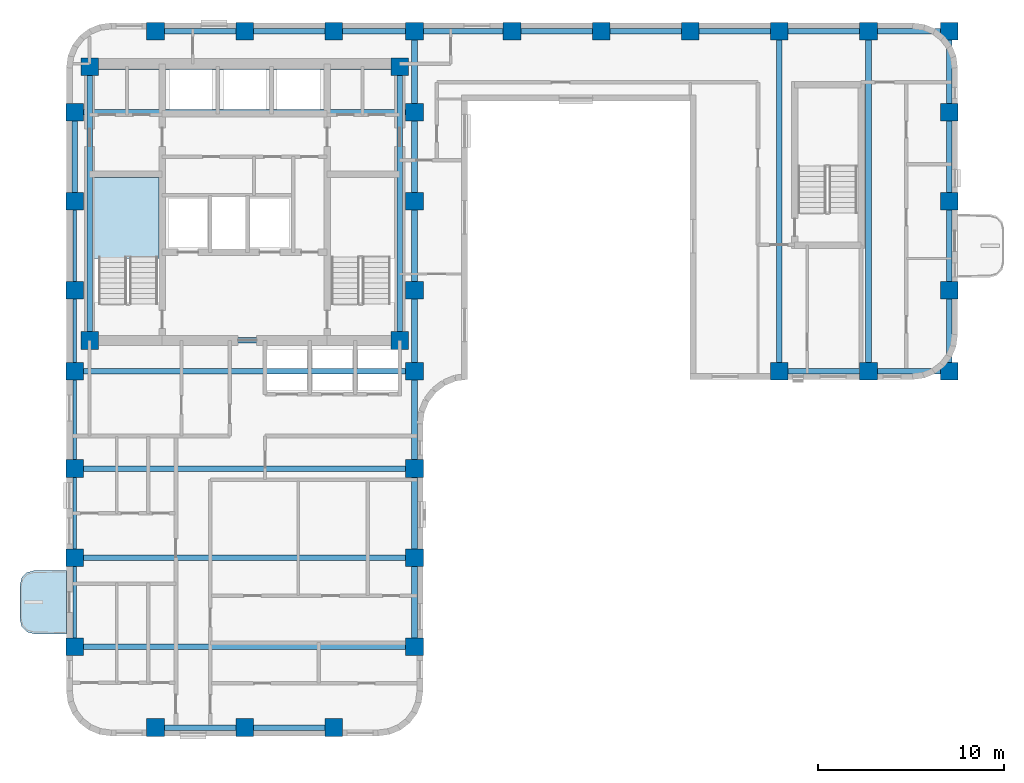
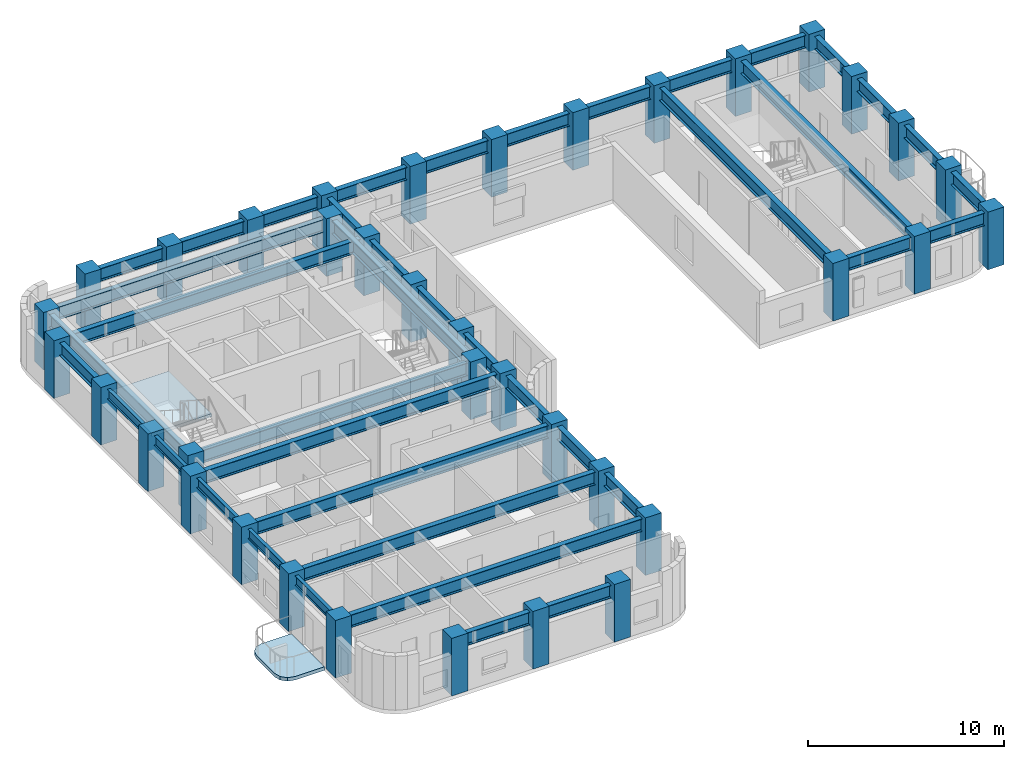
# One storey, part 1 of 10: 41 beams, 37 columns, 2 slabs, 1 element without a shape of its own.
"""IFC4 building model written with IfcOpenShell, lengths in metres."""

import ifcopenshell
import ifcopenshell.guid

model = None  # the IFC model being written
_history = None  # IfcOwnerHistory: only IFC2X3 demands one
_inside = {}  # id of a spatial element -> (the spatial element, [elements in it])
_under = {}  # id of a project, library or spatial element -> (it, [spatial elements below it])
_declared = {}  # id of a project -> (the project, [libraries it declares])
_typed = {}  # id of a type object -> (the type object, [elements of that type])
_made_of = {}  # id of a material, layer set ... -> (it, [elements and type objects made of it])


def new_model(schema):
    """Start an empty IFC model of exactly this schema.

    Asked for "IFC4X3", IfcOpenShell would pick the latest addendum, in which some entities
    have other attributes; the version numbers below select the first issue.
    IFC2X3 requires an IfcOwnerHistory on every rooted entity: one is made here for all.
    """
    global model, _history
    if schema == "IFC4X3":
        model = ifcopenshell.file(schema_version=(4, 3, 0, 0))
    else:
        model = ifcopenshell.file(schema=schema)
    _inside.clear()
    _under.clear()
    _declared.clear()
    _typed.clear()
    _made_of.clear()
    _history = None
    if model.schema == "IFC2X3":
        org = make("IfcOrganization", Name="unknown")
        user = make(
            "IfcPersonAndOrganization",
            ThePerson=make("IfcPerson", FamilyName="unknown"),
            TheOrganization=org,
        )
        app = make(
            "IfcApplication",
            ApplicationDeveloper=org,
            Version="unknown",
            ApplicationFullName="unknown",
            ApplicationIdentifier="unknown",
        )
        _history = make(
            "IfcOwnerHistory",
            OwningUser=user,
            OwningApplication=app,
            ChangeAction="ADDED",
            CreationDate=0,
        )
    return model


def make(cls, **values):
    """One entity of the class cls with the attributes given. An attribute that is None is left unset."""
    return model.create_entity(
        cls, **{name: value for name, value in values.items() if value is not None}
    )


def rooted(cls, **values):
    """An entity with a GlobalId (a new one), such as an element, a storey or a relation."""
    return make(cls, GlobalId=ifcopenshell.guid.new(), OwnerHistory=_history, **values)


def si_unit(unit_type, name, prefix=None):
    """IfcSIUnit, for example si_unit("LENGTHUNIT", "METRE", prefix="MILLI")."""
    return make("IfcSIUnit", UnitType=unit_type, Prefix=prefix, Name=name)


def assignment(units):
    """IfcUnitAssignment: the units of a project."""
    return None if units is None else make("IfcUnitAssignment", Units=units)


def point(xyz):
    """IfcCartesianPoint."""
    return None if xyz is None else make("IfcCartesianPoint", Coordinates=xyz)


def direction(xyz):
    """IfcDirection."""
    return None if xyz is None else make("IfcDirection", DirectionRatios=xyz)


def frame(location, z_axis=None, x_axis=None):
    """IfcAxis2Placement3D, a coordinate frame: its origin and axes. An axis left out is left unset."""
    return make(
        "IfcAxis2Placement3D",
        Location=point(location),
        Axis=direction(z_axis),
        RefDirection=direction(x_axis),
    )


def frame_2d(location, x_axis=None):
    """IfcAxis2Placement2D, a coordinate frame in the plane: its origin and x axis."""
    return make(
        "IfcAxis2Placement2D", Location=point(location), RefDirection=direction(x_axis)
    )


def origin():
    """The frame at (0, 0, 0) with its axes left unset."""
    return frame((0.0, 0.0, 0.0))


def origin_2d():
    """The frame at (0, 0) in the plane with its x axis left unset."""
    return frame_2d((0.0, 0.0))


def place(relative_to, where):
    """IfcLocalPlacement: puts the frame where relative to a parent placement (None: the world)."""
    return make(
        "IfcLocalPlacement", PlacementRelTo=relative_to, RelativePlacement=where
    )


def context(
    kind, dimensions, precision=None, world=None, true_north=None, identifier=None
):
    """IfcGeometricRepresentationContext, for example the 3D "Model" context."""
    return make(
        "IfcGeometricRepresentationContext",
        ContextIdentifier=identifier,
        ContextType=kind,
        CoordinateSpaceDimension=dimensions,
        Precision=precision,
        WorldCoordinateSystem=world,
        TrueNorth=true_north,
    )


def subcontext(parent, identifier, kind, view, scale=None):
    """IfcGeometricRepresentationSubContext, for example "Body" below "Model"."""
    return make(
        "IfcGeometricRepresentationSubContext",
        ContextIdentifier=identifier,
        ContextType=kind,
        ParentContext=parent,
        TargetScale=scale,
        TargetView=view,
    )


def project(units=None, contexts=None):
    """IfcProject with its units and contexts."""
    return rooted(
        "IfcProject",
        Name="project",
        RepresentationContexts=contexts,
        UnitsInContext=assignment(units),
    )


def spatial(cls, under=None, at=None, **own):
    """A site, building, storey or space (cls), placed at a placement, below another one or the project."""
    s = rooted(cls, ObjectPlacement=at, **own)
    if under is not None:
        _under.setdefault(under.id(), (under, []))[1].append(s)
    return s


def polyline(points):
    """IfcPolyline through the points."""
    return make("IfcPolyline", Points=[point(p) for p in points])


def profile(cls, at=None, kind="AREA", **sizes):
    """A parametric profile (cls). Its sizes go by their IFC names, for example OverallWidth=200.0."""
    return make(cls, ProfileType=kind, Position=at, **sizes)


def rectangle(**sizes):
    """IfcRectangleProfileDef."""
    return profile("IfcRectangleProfileDef", **sizes)


def i_section(**sizes):
    """IfcIShapeProfileDef."""
    return profile("IfcIShapeProfileDef", **sizes)


def outline(outer, holes=None, kind="AREA"):
    """IfcArbitraryClosedProfileDef: a profile drawn as a closed curve; with holes, ...WithVoids."""
    if holes is None:
        return make("IfcArbitraryClosedProfileDef", ProfileType=kind, OuterCurve=outer)
    return make(
        "IfcArbitraryProfileDefWithVoids",
        ProfileType=kind,
        OuterCurve=outer,
        InnerCurves=holes,
    )


def extrude(swept, where, along, depth):
    """IfcExtrudedAreaSolid: the profile swept, set in the frame where, extruded along a direction by depth."""
    return make(
        "IfcExtrudedAreaSolid",
        SweptArea=swept,
        Position=where,
        ExtrudedDirection=direction(along),
        Depth=depth,
    )


def shape(context_of_items, identifier, shape_type, items):
    """IfcShapeRepresentation: the items that make up one representation, for example the "Body"."""
    return make(
        "IfcShapeRepresentation",
        ContextOfItems=context_of_items,
        RepresentationIdentifier=identifier,
        RepresentationType=shape_type,
        Items=items,
    )


def material(Name=None, Category=None):
    """IfcMaterial."""
    return make("IfcMaterial", Name=Name, Category=Category)


def layer(
    of_material, thickness, ventilated=None, Name=None, Category=None, Priority=None
):
    """IfcMaterialLayer: one layer of a wall or slab, of a material (None: an air gap)."""
    return make(
        "IfcMaterialLayer",
        Material=of_material,
        LayerThickness=thickness,
        IsVentilated=ventilated,
        Name=Name,
        Category=Category,
        Priority=Priority,
    )


def layer_set(layers, Name=None):
    """IfcMaterialLayerSet."""
    return make("IfcMaterialLayerSet", MaterialLayers=layers, LayerSetName=Name)


def material_profile(
    of_material, cross_section, Name=None, Category=None, Priority=None
):
    """IfcMaterialProfile: a cross section and its material."""
    return make(
        "IfcMaterialProfile",
        Name=Name,
        Material=of_material,
        Profile=cross_section,
        Priority=Priority,
        Category=Category,
    )


def profile_set(profiles, Name=None, composite=None):
    """IfcMaterialProfileSet."""
    return make(
        "IfcMaterialProfileSet",
        Name=Name,
        MaterialProfiles=profiles,
        CompositeProfile=composite,
    )


def made_of(thing, what):
    """Note that an element or type object is made of a material, layer set ...; save() writes the relation."""
    if what is not None:
        _made_of.setdefault(what.id(), (what, []))[1].append(thing)
    return thing


def type_object(cls, material=None, **own):
    """A type object (cls), such as IfcWallType, which elements share."""
    return made_of(rooted(cls, **own), material)


def element(
    cls,
    number,
    at=None,
    inside=None,
    cuts=None,
    type_object=None,
    material=None,
    context=None,
    identifier="Body",
    shape_type=None,
    held_by="IfcProductDefinitionShape",
    body=None,
    shapes=None,
    **own,
):
    """One element of the class cls, such as IfcWall. Its Tag is "e" and its number.

    at: its placement. inside: the storey or other place that contains it. cuts: it is an
    opening in that element (IfcRelVoidsElement). A single representation is given by context,
    identifier, shape_type and body (its items); several are given by shapes. held_by: the class
    of the entity that holds the representations. save() writes the other relations.
    """
    e = rooted(cls, Tag="e%d" % number, ObjectPlacement=at, **own)
    if body is not None:
        shapes = [shape(context, identifier, shape_type, body)]
    if shapes is not None:
        e.Representation = make(held_by, Representations=shapes)
    if inside is not None:
        _inside.setdefault(inside.id(), (inside, []))[1].append(e)
    if cuts is not None:
        rooted(
            "IfcRelVoidsElement", RelatingBuildingElement=cuts, RelatedOpeningElement=e
        )
    if type_object is not None:
        _typed.setdefault(type_object.id(), (type_object, []))[1].append(e)
    return made_of(e, material)


def aggregate(whole, parts):
    """IfcRelAggregates: a whole, such as a stair, and the parts it consists of."""
    return rooted("IfcRelAggregates", RelatingObject=whole, RelatedObjects=parts)


def save(model, path):
    """Write the relations noted so far, then the file.

    IfcRelAggregates (storeys below a building ...), IfcRelContainedInSpatialStructure (elements
    in a storey), IfcRelDefinesByType, IfcRelAssociatesMaterial and IfcRelDeclares: one each for
    every whole, place, type object, material and project.
    """
    for whole, parts in _under.values():
        aggregate(whole, parts)
    for where, things in _inside.values():
        rooted(
            "IfcRelContainedInSpatialStructure",
            RelatedElements=things,
            RelatingStructure=where,
        )
    for kind, things in _typed.values():
        rooted("IfcRelDefinesByType", RelatedObjects=things, RelatingType=kind)
    for what, things in _made_of.values():
        rooted("IfcRelAssociatesMaterial", RelatedObjects=things, RelatingMaterial=what)
    for by, libraries in _declared.values():
        rooted("IfcRelDeclares", RelatingContext=by, RelatedDefinitions=libraries)
    model.write(path)


model = new_model("IFC4")

# Units and contexts
model_context = context("Model", 3, precision=1e-05, world=origin(), true_north=direction((0.0, 1.0)))
body_context = subcontext(model_context, "Body", "Model", "MODEL_VIEW")
ifc_project = project(units=[si_unit("LENGTHUNIT", "METRE"), si_unit("AREAUNIT", "SQUARE_METRE"), si_unit("VOLUMEUNIT", "CUBIC_METRE"), si_unit("PLANEANGLEUNIT", "RADIAN"), si_unit("MASSUNIT", "GRAM", prefix="KILO")], contexts=[model_context])

# Site, building, storey
site_placement = place(None, origin())
site = spatial("IfcSite", under=ifc_project, at=site_placement, CompositionType="ELEMENT")
building_placement = place(site_placement, origin())
building = spatial("IfcBuilding", under=site, at=building_placement, Name="Orvandelia Arch Residences", CompositionType="ELEMENT")
storey_placement = place(building_placement, frame((0.0, 0.0, 182.800048828125)))
storey = spatial("IfcBuildingStorey", under=building, at=storey_placement, Name="L48", CompositionType="ELEMENT", Elevation=182.800048828125)

# Columns
ifc_material_1 = material(Name="Concrete C60/75", Category="concrete")
ifc_material_profile_1 = material_profile(ifc_material_1, rectangle(XDim=0.949951171875, YDim=0.949951171875, at=origin_2d()), Name="Concrete C60/75", Category="concrete")
ifc_profile_set_1 = profile_set([ifc_material_profile_1], Name="Concrete C60/75")
column_type = type_object("IfcColumnType", Name="COL-TWR-950", PredefinedType="COLUMN", material=ifc_profile_set_1)
for number, where, z_axis, x_axis, name in (
    (1, (5.25, 14.39990234375, 0.0), (0.0, 0.0, 1.0), (1.0, 0.0, 0.0), "Structural Column L48-W-W-144"),
    (2, (5.25, 19.199951171875, 0.0), (0.0, 0.0, 1.0), (1.0, 0.0, 0.0), "Structural Column L48-W-W-192"),
    (3, (5.25, 24.0, 0.0), (0.0, 0.0, 1.0), (1.0, 0.0, 0.0), "Structural Column L48-W-W-240"),
    (4, (5.25, 29.25, 0.0), (0.0, 0.0, 1.0), (1.0, 0.0, 0.0), "Structural Column L48-W-W-292"),
    (5, (5.25, 33.60009765625, 0.0), (0.0, 0.0, 1.0), (1.0, 0.0, 0.0), "Structural Column L48-W-W-336"),
    (6, (5.25, 38.39990234375, 0.0), (0.0, 0.0, 1.0), (1.0, 0.0, 0.0), "Structural Column L48-W-W-384"),
    (7, (5.25, 43.199951171875, 0.0), (0.0, 0.0, 1.0), (1.0, 0.0, 0.0), "Structural Column L48-W-W-432"),
    (8, (6.050048828125, 30.89990234375, 0.0), (0.0, 0.0, 1.0), (1.0, 0.0, 0.0), "Structural Column L48-CR-SW"),
    (9, (6.050048828125, 45.64990234375, 0.0), (0.0, 0.0, 1.0), (1.0, 0.0, 0.0), "Structural Column L48-CR-NW"),
    (10, (9.60009765625, 10.050048828125, 0.0), (0.0, 0.0, 1.0), (1.0, 0.0, 0.0), "Structural Column L48-W-S-96"),
    (11, (9.60009765625, 47.550048828125, 0.0), (0.0, 0.0, 1.0), (1.0, 0.0, 0.0), "Structural Column L48-W-N-96"),
    (12, (14.39990234375, 10.050048828125, 0.0), (0.0, 0.0, 1.0), (1.0, 0.0, 0.0), "Structural Column L48-W-S-144"),
    (13, (14.39990234375, 47.550048828125, 0.0), (0.0, 0.0, 1.0), (1.0, 0.0, 0.0), "Structural Column L48-W-N-144"),
    (14, (19.199951171875, 10.050048828125, 0.0), (0.0, 0.0, 1.0), (1.0, 0.0, 0.0), "Structural Column L48-W-S-192"),
    (15, (19.199951171875, 47.550048828125, 0.0), (0.0, 0.0, 1.0), (1.0, 0.0, 0.0), "Structural Column L48-W-N-192"),
    (16, (22.75, 30.89990234375, 0.0), (0.0, 0.0, 1.0), (1.0, 0.0, 0.0), "Structural Column L48-CR-SE"),
    (17, (22.75, 45.64990234375, 0.0), (0.0, 0.0, 1.0), (1.0, 0.0, 0.0), "Structural Column L48-CR-NE"),
    (18, (23.550048828125, 14.39990234375, 0.0), (0.0, 0.0, 1.0), (1.0, 0.0, 0.0), "Structural Column L48-W-E-144"),
    (19, (23.550048828125, 19.199951171875, 0.0), (0.0, 0.0, 1.0), (1.0, 0.0, 0.0), "Structural Column L48-W-E-192"),
    (20, (23.550048828125, 24.0, 0.0), (0.0, 0.0, 1.0), (1.0, 0.0, 0.0), "Structural Column L48-W-E-240"),
    (21, (23.550048828125, 29.25, 0.0), (0.0, 0.0, 1.0), (1.0, 0.0, 0.0), "Structural Column L48-W-E-292"),
    (22, (23.550048828125, 33.60009765625, 0.0), (0.0, 0.0, 1.0), (1.0, 0.0, 0.0), "Structural Column L48-W-E-336"),
    (23, (23.550048828125, 38.39990234375, 0.0), (0.0, 0.0, 1.0), (1.0, 0.0, 0.0), "Structural Column L48-W-E-384"),
    (24, (23.550048828125, 43.199951171875, 0.0), (0.0, 0.0, 1.0), (1.0, 0.0, 0.0), "Structural Column L48-W-E-432"),
    (25, (23.550048828125, 47.550048828125, 0.0), (0.0, 0.0, 1.0), (1.0, 0.0, 0.0), "Structural Column L48-W-N-235"),
    (26, (28.800048828125, 47.550048828125, 0.0), (0.0, 0.0, 1.0), (1.0, 0.0, 0.0), "Structural Column L48-E-N-288"),
    (27, (33.60009765625, 47.550048828125, 0.0), (0.0, 0.0, 1.0), (1.0, 0.0, 0.0), "Structural Column L48-E-N-336"),
    (28, (38.39990234375, 47.550048828125, 0.0), (0.0, 0.0, 1.0), (1.0, 0.0, 0.0), "Structural Column L48-E-N-384"),
    (29, (43.199951171875, 29.25, 0.0), (0.0, 0.0, 1.0), (1.0, 0.0, 0.0), "Structural Column L48-E-S-432"),
    (30, (43.199951171875, 47.550048828125, 0.0), (0.0, 0.0, 1.0), (1.0, 0.0, 0.0), "Structural Column L48-E-N-432"),
    (31, (48.0, 29.25, 0.0), (0.0, 0.0, 1.0), (1.0, 0.0, 0.0), "Structural Column L48-E-S-480"),
    (32, (48.0, 47.550048828125, 0.0), (0.0, 0.0, 1.0), (1.0, 0.0, 0.0), "Structural Column L48-E-N-480"),
    (33, (52.35009765625, 29.25, 0.0), (0.0, 0.0, 1.0), (1.0, 0.0, 0.0), "Structural Column L48-E-S-523"),
    (34, (52.35009765625, 33.60009765625, 0.0), (0.0, 0.0, 1.0), (1.0, 0.0, 0.0), "Structural Column L48-E-523-336"),
    (35, (52.35009765625, 38.39990234375, 0.0), (0.0, 0.0, 1.0), (1.0, 0.0, 0.0), "Structural Column L48-E-523-384"),
    (36, (52.35009765625, 43.199951171875, 0.0), (0.0, 0.0, 1.0), (1.0, 0.0, 0.0), "Structural Column L48-E-523-432"),
    (37, (52.35009765625, 47.550048828125, 0.0), (0.0, 0.0, 1.0), (1.0, 0.0, 0.0), "Structural Column L48-E-N-523"),
):
    element("IfcColumn", number, at=place(storey_placement, frame(where, z_axis=z_axis, x_axis=x_axis)), inside=storey, type_object=column_type, Name=name, PredefinedType="COLUMN", context=body_context, shape_type="SweptSolid", body=[
        extrude(rectangle(XDim=0.949951171875, YDim=0.949951171875, at=origin_2d()), origin(), (0.0, 0.0, 1.0), 3.599853515625),
    ])

# Beams
ifc_material_2 = material(Name="Structural Steel SM355 (355 MPa)", Category="steel")
ifc_material_profile_2 = material_profile(ifc_material_2, i_section(OverallWidth=0.300048828125, OverallDepth=0.800048828125, WebThickness=0.013916015625, FlangeThickness=0.02587890625, FilletRadius=0.02587890625, at=origin_2d()), Name="Structural Steel SM355 (355 MPa)", Category="steel")
ifc_profile_set_2 = profile_set([ifc_material_profile_2], Name="Structural Steel SM355 (355 MPa)")
beam_type_1 = type_object("IfcBeamType", Name="BM-GRD-H800", PredefinedType="BEAM", material=ifc_profile_set_2)
beam_1_placement = place(storey_placement, frame((5.25, 38.39990234375, 2.9599609375), z_axis=(0.0, 1.0, 0.0), x_axis=(-1.0, 0.0, 0.0)))
element("IfcBeam", 38, at=beam_1_placement, inside=storey, type_object=beam_type_1, Name="Structural Frame Beam L48-NS-006", PredefinedType="BEAM", context=body_context, shape_type="SweptSolid", body=[
    extrude(i_section(OverallWidth=0.300048828125, OverallDepth=0.800048828125, WebThickness=0.013916015625, FlangeThickness=0.02587890625, FilletRadius=0.02587890625, at=origin_2d()), origin(), (0.0, 0.0, 1.0), 4.800048828125),
])
for number, where, z_axis, x_axis, name in (
    (39, (6.050048828125, 30.89990234375, 2.9599609375), (0.0, 1.0, 0.0), (-1.0, 0.0, 0.0), "Structural Frame Beam L48-NS-007"),
    (40, (22.75, 30.89990234375, 2.9599609375), (0.0, 1.0, 0.0), (-1.0, 0.0, 0.0), "Structural Frame Beam L48-NS-008"),
):
    element("IfcBeam", number, at=place(storey_placement, frame(where, z_axis=z_axis, x_axis=x_axis)), inside=storey, type_object=beam_type_1, Name=name, PredefinedType="BEAM", context=body_context, shape_type="SweptSolid", body=[
        extrude(i_section(OverallWidth=0.300048828125, OverallDepth=0.800048828125, WebThickness=0.013916015625, FlangeThickness=0.02587890625, FilletRadius=0.02587890625, at=origin_2d()), origin(), (0.0, 0.0, 1.0), 14.75),
    ])
for number, where, z_axis, x_axis, name in (
    (41, (23.550048828125, 14.39990234375, 2.9599609375), (0.0, 1.0, 0.0), (-1.0, 0.0, 0.0), "Structural Frame Beam L48-NS-009"),
    (42, (23.550048828125, 19.199951171875, 2.9599609375), (0.0, 1.0, 0.0), (-1.0, 0.0, 0.0), "Structural Frame Beam L48-NS-010"),
):
    element("IfcBeam", number, at=place(storey_placement, frame(where, z_axis=z_axis, x_axis=x_axis)), inside=storey, type_object=beam_type_1, Name=name, PredefinedType="BEAM", context=body_context, shape_type="SweptSolid", body=[
        extrude(i_section(OverallWidth=0.300048828125, OverallDepth=0.800048828125, WebThickness=0.013916015625, FlangeThickness=0.02587890625, FilletRadius=0.02587890625, at=origin_2d()), origin(), (0.0, 0.0, 1.0), 4.800048828125),
    ])
beam_2_placement = place(storey_placement, frame((23.550048828125, 24.0, 2.9599609375), z_axis=(0.0, 1.0, 0.0), x_axis=(-1.0, 0.0, 0.0)))
element("IfcBeam", 43, at=beam_2_placement, inside=storey, type_object=beam_type_1, Name="Structural Frame Beam L48-NS-011", PredefinedType="BEAM", context=body_context, shape_type="SweptSolid", body=[
    extrude(i_section(OverallWidth=0.300048828125, OverallDepth=0.800048828125, WebThickness=0.013916015625, FlangeThickness=0.02587890625, FilletRadius=0.02587890625, at=origin_2d()), origin(), (0.0, 0.0, 1.0), 5.25),
])
beam_3_placement = place(storey_placement, frame((23.550048828125, 29.25, 2.9599609375), z_axis=(0.0, 1.0, 0.0), x_axis=(-1.0, 0.0, 0.0)))
element("IfcBeam", 44, at=beam_3_placement, inside=storey, type_object=beam_type_1, Name="Structural Frame Beam L48-NS-012", PredefinedType="BEAM", context=body_context, shape_type="SweptSolid", body=[
    extrude(i_section(OverallWidth=0.300048828125, OverallDepth=0.800048828125, WebThickness=0.013916015625, FlangeThickness=0.02587890625, FilletRadius=0.02587890625, at=origin_2d()), origin(), (0.0, 0.0, 1.0), 4.35009765625),
])
beam_4_placement = place(storey_placement, frame((23.550048828125, 33.60009765625, 2.9599609375), z_axis=(0.0, 1.0, 0.0), x_axis=(-1.0, 0.0, 0.0)))
element("IfcBeam", 45, at=beam_4_placement, inside=storey, type_object=beam_type_1, Name="Structural Frame Beam L48-NS-013", PredefinedType="BEAM", context=body_context, shape_type="SweptSolid", body=[
    extrude(i_section(OverallWidth=0.300048828125, OverallDepth=0.800048828125, WebThickness=0.013916015625, FlangeThickness=0.02587890625, FilletRadius=0.02587890625, at=origin_2d()), origin(), (0.0, 0.0, 1.0), 4.7998046875),
])
beam_5_placement = place(storey_placement, frame((23.550048828125, 38.39990234375, 2.9599609375), z_axis=(0.0, 1.0, 0.0), x_axis=(-1.0, 0.0, 0.0)))
element("IfcBeam", 46, at=beam_5_placement, inside=storey, type_object=beam_type_1, Name="Structural Frame Beam L48-NS-014", PredefinedType="BEAM", context=body_context, shape_type="SweptSolid", body=[
    extrude(i_section(OverallWidth=0.300048828125, OverallDepth=0.800048828125, WebThickness=0.013916015625, FlangeThickness=0.02587890625, FilletRadius=0.02587890625, at=origin_2d()), origin(), (0.0, 0.0, 1.0), 4.800048828125),
])
beam_6_placement = place(storey_placement, frame((23.550048828125, 43.199951171875, 2.9599609375), z_axis=(0.0, 1.0, 0.0), x_axis=(-1.0, 0.0, 0.0)))
element("IfcBeam", 47, at=beam_6_placement, inside=storey, type_object=beam_type_1, Name="Structural Frame Beam L48-NS-015", PredefinedType="BEAM", context=body_context, shape_type="SweptSolid", body=[
    extrude(i_section(OverallWidth=0.300048828125, OverallDepth=0.800048828125, WebThickness=0.013916015625, FlangeThickness=0.02587890625, FilletRadius=0.02587890625, at=origin_2d()), origin(), (0.0, 0.0, 1.0), 4.35009765625),
])
for number, where, z_axis, x_axis, name in (
    (48, (43.199951171875, 29.25, 2.9599609375), (0.0, 1.0, 0.0), (-1.0, 0.0, 0.0), "Structural Frame Beam L48-NS-016"),
    (49, (48.0, 29.25, 2.9599609375), (0.0, 1.0, 0.0), (-1.0, 0.0, 0.0), "Structural Frame Beam L48-NS-017"),
):
    element("IfcBeam", number, at=place(storey_placement, frame(where, z_axis=z_axis, x_axis=x_axis)), inside=storey, type_object=beam_type_1, Name=name, PredefinedType="BEAM", context=body_context, shape_type="SweptSolid", body=[
        extrude(i_section(OverallWidth=0.300048828125, OverallDepth=0.800048828125, WebThickness=0.013916015625, FlangeThickness=0.02587890625, FilletRadius=0.02587890625, at=origin_2d()), origin(), (0.0, 0.0, 1.0), 18.300048828125),
    ])
beam_7_placement = place(storey_placement, frame((52.35009765625, 29.25, 2.9599609375), z_axis=(0.0, 1.0, 0.0), x_axis=(-1.0, 0.0, 0.0)))
element("IfcBeam", 50, at=beam_7_placement, inside=storey, type_object=beam_type_1, Name="Structural Frame Beam L48-NS-018", PredefinedType="BEAM", context=body_context, shape_type="SweptSolid", body=[
    extrude(i_section(OverallWidth=0.300048828125, OverallDepth=0.800048828125, WebThickness=0.013916015625, FlangeThickness=0.02587890625, FilletRadius=0.02587890625, at=origin_2d()), origin(), (0.0, 0.0, 1.0), 4.35009765625),
])
beam_8_placement = place(storey_placement, frame((52.35009765625, 33.60009765625, 2.9599609375), z_axis=(0.0, 1.0, 0.0), x_axis=(-1.0, 0.0, 0.0)))
element("IfcBeam", 51, at=beam_8_placement, inside=storey, type_object=beam_type_1, Name="Structural Frame Beam L48-NS-019", PredefinedType="BEAM", context=body_context, shape_type="SweptSolid", body=[
    extrude(i_section(OverallWidth=0.300048828125, OverallDepth=0.800048828125, WebThickness=0.013916015625, FlangeThickness=0.02587890625, FilletRadius=0.02587890625, at=origin_2d()), origin(), (0.0, 0.0, 1.0), 4.7998046875),
])
beam_9_placement = place(storey_placement, frame((52.35009765625, 38.39990234375, 2.9599609375), z_axis=(0.0, 1.0, 0.0), x_axis=(-1.0, 0.0, 0.0)))
element("IfcBeam", 52, at=beam_9_placement, inside=storey, type_object=beam_type_1, Name="Structural Frame Beam L48-NS-020", PredefinedType="BEAM", context=body_context, shape_type="SweptSolid", body=[
    extrude(i_section(OverallWidth=0.300048828125, OverallDepth=0.800048828125, WebThickness=0.013916015625, FlangeThickness=0.02587890625, FilletRadius=0.02587890625, at=origin_2d()), origin(), (0.0, 0.0, 1.0), 4.800048828125),
])
beam_10_placement = place(storey_placement, frame((52.35009765625, 43.199951171875, 2.9599609375), z_axis=(0.0, 1.0, 0.0), x_axis=(-1.0, 0.0, 0.0)))
element("IfcBeam", 53, at=beam_10_placement, inside=storey, type_object=beam_type_1, Name="Structural Frame Beam L48-NS-021", PredefinedType="BEAM", context=body_context, shape_type="SweptSolid", body=[
    extrude(i_section(OverallWidth=0.300048828125, OverallDepth=0.800048828125, WebThickness=0.013916015625, FlangeThickness=0.02587890625, FilletRadius=0.02587890625, at=origin_2d()), origin(), (0.0, 0.0, 1.0), 4.35009765625),
])
beam_11_placement = place(storey_placement, frame((9.60009765625, 10.050048828125, 2.9599609375), z_axis=(1.0, 0.0, 0.0), x_axis=(0.0, 1.0, 0.0)))
element("IfcBeam", 54, at=beam_11_placement, inside=storey, type_object=beam_type_1, Name="Structural Frame Girder L48-EW-022", PredefinedType="BEAM", context=body_context, shape_type="SweptSolid", body=[
    extrude(i_section(OverallWidth=0.300048828125, OverallDepth=0.800048828125, WebThickness=0.013916015625, FlangeThickness=0.02587890625, FilletRadius=0.02587890625, at=origin_2d()), origin(), (0.0, 0.0, 1.0), 4.7998046875),
])
beam_12_placement = place(storey_placement, frame((14.39990234375, 10.050048828125, 2.9599609375), z_axis=(1.0, 0.0, 0.0), x_axis=(0.0, 1.0, 0.0)))
element("IfcBeam", 55, at=beam_12_placement, inside=storey, type_object=beam_type_1, Name="Structural Frame Girder L48-EW-023", PredefinedType="BEAM", context=body_context, shape_type="SweptSolid", body=[
    extrude(i_section(OverallWidth=0.300048828125, OverallDepth=0.800048828125, WebThickness=0.013916015625, FlangeThickness=0.02587890625, FilletRadius=0.02587890625, at=origin_2d()), origin(), (0.0, 0.0, 1.0), 4.800048828125),
])
for number, where, z_axis, x_axis, name in (
    (56, (5.25, 14.39990234375, 2.9599609375), (1.0, 0.0, 0.0), (0.0, 1.0, 0.0), "Structural Frame Girder L48-EW-024"),
    (57, (5.25, 19.199951171875, 2.9599609375), (1.0, 0.0, 0.0), (0.0, 1.0, 0.0), "Structural Frame Girder L48-EW-025"),
    (58, (5.25, 24.0, 2.9599609375), (1.0, 0.0, 0.0), (0.0, 1.0, 0.0), "Structural Frame Girder L48-EW-026"),
    (59, (5.25, 29.25, 2.9599609375), (1.0, 0.0, 0.0), (0.0, 1.0, 0.0), "Structural Frame Girder L48-EW-027"),
):
    element("IfcBeam", number, at=place(storey_placement, frame(where, z_axis=z_axis, x_axis=x_axis)), inside=storey, type_object=beam_type_1, Name=name, PredefinedType="BEAM", context=body_context, shape_type="SweptSolid", body=[
        extrude(i_section(OverallWidth=0.300048828125, OverallDepth=0.800048828125, WebThickness=0.013916015625, FlangeThickness=0.02587890625, FilletRadius=0.02587890625, at=origin_2d()), origin(), (0.0, 0.0, 1.0), 18.300048828125),
    ])
beam_13_placement = place(storey_placement, frame((43.199951171875, 29.25, 2.9599609375), z_axis=(1.0, 0.0, 0.0), x_axis=(0.0, 1.0, 0.0)))
element("IfcBeam", 60, at=beam_13_placement, inside=storey, type_object=beam_type_1, Name="Structural Frame Girder L48-EW-028", PredefinedType="BEAM", context=body_context, shape_type="SweptSolid", body=[
    extrude(i_section(OverallWidth=0.300048828125, OverallDepth=0.800048828125, WebThickness=0.013916015625, FlangeThickness=0.02587890625, FilletRadius=0.02587890625, at=origin_2d()), origin(), (0.0, 0.0, 1.0), 4.800048828125),
])
beam_14_placement = place(storey_placement, frame((48.0, 29.25, 2.9599609375), z_axis=(1.0, 0.0, 0.0), x_axis=(0.0, 1.0, 0.0)))
element("IfcBeam", 61, at=beam_14_placement, inside=storey, type_object=beam_type_1, Name="Structural Frame Girder L48-EW-029", PredefinedType="BEAM", context=body_context, shape_type="SweptSolid", body=[
    extrude(i_section(OverallWidth=0.300048828125, OverallDepth=0.800048828125, WebThickness=0.013916015625, FlangeThickness=0.02587890625, FilletRadius=0.02587890625, at=origin_2d()), origin(), (0.0, 0.0, 1.0), 4.35009765625),
])
beam_15_placement = place(storey_placement, frame((6.050048828125, 30.89990234375, 2.9599609375), z_axis=(1.0, 0.0, 0.0), x_axis=(0.0, 1.0, 0.0)))
element("IfcBeam", 62, at=beam_15_placement, inside=storey, type_object=beam_type_1, Name="Structural Frame Girder L48-EW-030", PredefinedType="BEAM", context=body_context, shape_type="SweptSolid", body=[
    extrude(i_section(OverallWidth=0.300048828125, OverallDepth=0.800048828125, WebThickness=0.013916015625, FlangeThickness=0.02587890625, FilletRadius=0.02587890625, at=origin_2d()), origin(), (0.0, 0.0, 1.0), 16.699951171875),
])
beam_16_placement = place(storey_placement, frame((5.25, 43.199951171875, 2.9599609375), z_axis=(1.0, 0.0, 0.0), x_axis=(0.0, 1.0, 0.0)))
element("IfcBeam", 63, at=beam_16_placement, inside=storey, type_object=beam_type_1, Name="Structural Frame Girder L48-EW-033", PredefinedType="BEAM", context=body_context, shape_type="SweptSolid", body=[
    extrude(i_section(OverallWidth=0.300048828125, OverallDepth=0.800048828125, WebThickness=0.013916015625, FlangeThickness=0.02587890625, FilletRadius=0.02587890625, at=origin_2d()), origin(), (0.0, 0.0, 1.0), 18.300048828125),
])
beam_17_placement = place(storey_placement, frame((6.050048828125, 45.64990234375, 2.9599609375), z_axis=(1.0, 0.0, 0.0), x_axis=(0.0, 1.0, 0.0)))
element("IfcBeam", 64, at=beam_17_placement, inside=storey, type_object=beam_type_1, Name="Structural Frame Girder L48-EW-034", PredefinedType="BEAM", context=body_context, shape_type="SweptSolid", body=[
    extrude(i_section(OverallWidth=0.300048828125, OverallDepth=0.800048828125, WebThickness=0.013916015625, FlangeThickness=0.02587890625, FilletRadius=0.02587890625, at=origin_2d()), origin(), (0.0, 0.0, 1.0), 16.699951171875),
])
beam_18_placement = place(storey_placement, frame((9.60009765625, 47.550048828125, 2.9599609375), z_axis=(1.0, 0.0, 0.0), x_axis=(0.0, 1.0, 0.0)))
element("IfcBeam", 65, at=beam_18_placement, inside=storey, type_object=beam_type_1, Name="Structural Frame Girder L48-EW-035", PredefinedType="BEAM", context=body_context, shape_type="SweptSolid", body=[
    extrude(i_section(OverallWidth=0.300048828125, OverallDepth=0.800048828125, WebThickness=0.013916015625, FlangeThickness=0.02587890625, FilletRadius=0.02587890625, at=origin_2d()), origin(), (0.0, 0.0, 1.0), 4.7998046875),
])
beam_19_placement = place(storey_placement, frame((14.39990234375, 47.550048828125, 2.9599609375), z_axis=(1.0, 0.0, 0.0), x_axis=(0.0, 1.0, 0.0)))
element("IfcBeam", 66, at=beam_19_placement, inside=storey, type_object=beam_type_1, Name="Structural Frame Girder L48-EW-036", PredefinedType="BEAM", context=body_context, shape_type="SweptSolid", body=[
    extrude(i_section(OverallWidth=0.300048828125, OverallDepth=0.800048828125, WebThickness=0.013916015625, FlangeThickness=0.02587890625, FilletRadius=0.02587890625, at=origin_2d()), origin(), (0.0, 0.0, 1.0), 4.800048828125),
])
beam_20_placement = place(storey_placement, frame((19.199951171875, 47.550048828125, 2.9599609375), z_axis=(1.0, 0.0, 0.0), x_axis=(0.0, 1.0, 0.0)))
element("IfcBeam", 67, at=beam_20_placement, inside=storey, type_object=beam_type_1, Name="Structural Frame Girder L48-EW-037", PredefinedType="BEAM", context=body_context, shape_type="SweptSolid", body=[
    extrude(i_section(OverallWidth=0.300048828125, OverallDepth=0.800048828125, WebThickness=0.013916015625, FlangeThickness=0.02587890625, FilletRadius=0.02587890625, at=origin_2d()), origin(), (0.0, 0.0, 1.0), 4.35009765625),
])
beam_21_placement = place(storey_placement, frame((23.550048828125, 47.550048828125, 2.9599609375), z_axis=(1.0, 0.0, 0.0), x_axis=(0.0, 1.0, 0.0)))
element("IfcBeam", 68, at=beam_21_placement, inside=storey, type_object=beam_type_1, Name="Structural Frame Girder L48-EW-038", PredefinedType="BEAM", context=body_context, shape_type="SweptSolid", body=[
    extrude(i_section(OverallWidth=0.300048828125, OverallDepth=0.800048828125, WebThickness=0.013916015625, FlangeThickness=0.02587890625, FilletRadius=0.02587890625, at=origin_2d()), origin(), (0.0, 0.0, 1.0), 5.25),
])
beam_22_placement = place(storey_placement, frame((28.800048828125, 47.550048828125, 2.9599609375), z_axis=(1.0, 0.0, 0.0), x_axis=(0.0, 1.0, 0.0)))
element("IfcBeam", 69, at=beam_22_placement, inside=storey, type_object=beam_type_1, Name="Structural Frame Girder L48-EW-039", PredefinedType="BEAM", context=body_context, shape_type="SweptSolid", body=[
    extrude(i_section(OverallWidth=0.300048828125, OverallDepth=0.800048828125, WebThickness=0.013916015625, FlangeThickness=0.02587890625, FilletRadius=0.02587890625, at=origin_2d()), origin(), (0.0, 0.0, 1.0), 4.800048828125),
])
beam_23_placement = place(storey_placement, frame((33.60009765625, 47.550048828125, 2.9599609375), z_axis=(1.0, 0.0, 0.0), x_axis=(0.0, 1.0, 0.0)))
element("IfcBeam", 70, at=beam_23_placement, inside=storey, type_object=beam_type_1, Name="Structural Frame Girder L48-EW-040", PredefinedType="BEAM", context=body_context, shape_type="SweptSolid", body=[
    extrude(i_section(OverallWidth=0.300048828125, OverallDepth=0.800048828125, WebThickness=0.013916015625, FlangeThickness=0.02587890625, FilletRadius=0.02587890625, at=origin_2d()), origin(), (0.0, 0.0, 1.0), 4.7998046875),
])
for number, where, z_axis, x_axis, name in (
    (71, (38.39990234375, 47.550048828125, 2.9599609375), (1.0, 0.0, 0.0), (0.0, 1.0, 0.0), "Structural Frame Girder L48-EW-041"),
    (72, (43.199951171875, 47.550048828125, 2.9599609375), (1.0, 0.0, 0.0), (0.0, 1.0, 0.0), "Structural Frame Girder L48-EW-042"),
):
    element("IfcBeam", number, at=place(storey_placement, frame(where, z_axis=z_axis, x_axis=x_axis)), inside=storey, type_object=beam_type_1, Name=name, PredefinedType="BEAM", context=body_context, shape_type="SweptSolid", body=[
        extrude(i_section(OverallWidth=0.300048828125, OverallDepth=0.800048828125, WebThickness=0.013916015625, FlangeThickness=0.02587890625, FilletRadius=0.02587890625, at=origin_2d()), origin(), (0.0, 0.0, 1.0), 4.800048828125),
    ])
beam_24_placement = place(storey_placement, frame((48.0, 47.550048828125, 2.9599609375), z_axis=(1.0, 0.0, 0.0), x_axis=(0.0, 1.0, 0.0)))
element("IfcBeam", 73, at=beam_24_placement, inside=storey, type_object=beam_type_1, Name="Structural Frame Girder L48-EW-043", PredefinedType="BEAM", context=body_context, shape_type="SweptSolid", body=[
    extrude(i_section(OverallWidth=0.300048828125, OverallDepth=0.800048828125, WebThickness=0.013916015625, FlangeThickness=0.02587890625, FilletRadius=0.02587890625, at=origin_2d()), origin(), (0.0, 0.0, 1.0), 4.35009765625),
])
ifc_material_profile_3 = material_profile(ifc_material_2, i_section(OverallWidth=0.199951171875, OverallDepth=0.60009765625, WebThickness=0.010986328125, FlangeThickness=0.01708984375, FilletRadius=0.02197265625, at=origin_2d()), Name="Structural Steel SM355 (355 MPa)", Category="steel")
ifc_profile_set_3 = profile_set([ifc_material_profile_3], Name="Structural Steel SM355 (355 MPa)")
beam_type_2 = type_object("IfcBeamType", Name="BM-SPN-H600", PredefinedType="SPANDREL", material=ifc_profile_set_3)
for number, where, z_axis, x_axis, name in (
    (74, (5.25, 14.39990234375, 3.06005859375), (0.0, 1.0, 0.0), (-1.0, 0.0, 0.0), "Structural Frame Beam L48-NS-001"),
    (75, (5.25, 19.199951171875, 3.06005859375), (0.0, 1.0, 0.0), (-1.0, 0.0, 0.0), "Structural Frame Beam L48-NS-002"),
):
    element("IfcBeam", number, at=place(storey_placement, frame(where, z_axis=z_axis, x_axis=x_axis)), inside=storey, type_object=beam_type_2, Name=name, PredefinedType="SPANDREL", context=body_context, shape_type="SweptSolid", body=[
        extrude(i_section(OverallWidth=0.199951171875, OverallDepth=0.60009765625, WebThickness=0.010986328125, FlangeThickness=0.01708984375, FilletRadius=0.02197265625, at=origin_2d()), origin(), (0.0, 0.0, 1.0), 4.800048828125),
    ])
beam_25_placement = place(storey_placement, frame((5.25, 24.0, 3.06005859375), z_axis=(0.0, 1.0, 0.0), x_axis=(-1.0, 0.0, 0.0)))
element("IfcBeam", 76, at=beam_25_placement, inside=storey, type_object=beam_type_2, Name="Structural Frame Beam L48-NS-003", PredefinedType="SPANDREL", context=body_context, shape_type="SweptSolid", body=[
    extrude(i_section(OverallWidth=0.199951171875, OverallDepth=0.60009765625, WebThickness=0.010986328125, FlangeThickness=0.01708984375, FilletRadius=0.02197265625, at=origin_2d()), origin(), (0.0, 0.0, 1.0), 5.25),
])
beam_26_placement = place(storey_placement, frame((5.25, 29.25, 3.06005859375), z_axis=(0.0, 1.0, 0.0), x_axis=(-1.0, 0.0, 0.0)))
element("IfcBeam", 77, at=beam_26_placement, inside=storey, type_object=beam_type_2, Name="Structural Frame Beam L48-NS-004", PredefinedType="SPANDREL", context=body_context, shape_type="SweptSolid", body=[
    extrude(i_section(OverallWidth=0.199951171875, OverallDepth=0.60009765625, WebThickness=0.010986328125, FlangeThickness=0.01708984375, FilletRadius=0.02197265625, at=origin_2d()), origin(), (0.0, 0.0, 1.0), 4.35009765625),
])
beam_27_placement = place(storey_placement, frame((5.25, 33.60009765625, 3.06005859375), z_axis=(0.0, 1.0, 0.0), x_axis=(-1.0, 0.0, 0.0)))
element("IfcBeam", 78, at=beam_27_placement, inside=storey, type_object=beam_type_2, Name="Structural Frame Beam L48-NS-005", PredefinedType="SPANDREL", context=body_context, shape_type="SweptSolid", body=[
    extrude(i_section(OverallWidth=0.199951171875, OverallDepth=0.60009765625, WebThickness=0.010986328125, FlangeThickness=0.01708984375, FilletRadius=0.02197265625, at=origin_2d()), origin(), (0.0, 0.0, 1.0), 4.7998046875),
])

# Slab
ifc_material_3 = material(Name="Precast concrete C40/50", Category="concrete")
ifc_layer_1 = layer(ifc_material_3, 0.219970703125, Name="Precast concrete C40/50", Category="concrete")
ifc_layer_set_1 = layer_set([ifc_layer_1], Name="Precast concrete C40/50")
slab_type_1 = type_object("IfcSlabType", Name="SLB-BAL-220", PredefinedType="USERDEFINED", material=ifc_layer_set_1)
slab_1_placement = place(storey_placement, frame((0.0, 0.0, -0.219970703125)))
element("IfcSlab", 79, at=slab_1_placement, inside=storey, type_object=slab_type_1, Name="Tree Balcony Cantilever Slab BAL-L48-W1", ObjectType="BALCONY", PredefinedType="USERDEFINED", context=body_context, shape_type="SweptSolid", body=[
    extrude(outline(polyline([(4.800048828125, 15.10009765625), (4.800048828125, 18.5), (3.050048828125, 18.5), (2.675048828125, 18.3994140625), (2.400390625, 18.125), (2.300048828125, 17.75), (2.300048828125, 15.85009765625), (2.400390625, 15.47509765625), (2.675048828125, 15.200439453125), (3.050048828125, 15.10009765625), (4.800048828125, 15.10009765625)])), origin(), (0.0, 0.0, 1.0), 0.219970703125),
])

# Stair, slab
ifc_material_4 = material(Name="Concrete C40/50", Category="concrete")
stair_type = type_object("IfcStairType", Name="STAIR-RC-DOGLEG", PredefinedType="HALF_TURN_STAIR", material=ifc_material_4)
stair_placement = place(storey_placement, origin())
stair = element("IfcStair", 80, at=stair_placement, inside=storey, type_object=stair_type, Name="L48 Protected Exit Stair ST-1", PredefinedType="HALF_TURN_STAIR")
ifc_layer_2 = layer(ifc_material_4, 0.219970703125, Name="Concrete C40/50", Category="concrete")
ifc_layer_set_2 = layer_set([ifc_layer_2], Name="Concrete C40/50")
slab_type_2 = type_object("IfcSlabType", Name="SLB-LANDING-220", PredefinedType="LANDING", material=ifc_layer_set_2)
slab_2_placement = place(storey_placement, frame((0.0, 0.0, 1.599853515625)))
slab_2 = element("IfcSlab", 81, at=slab_2_placement, type_object=slab_type_2, Name="ST-1 landing 1", PredefinedType="LANDING", context=body_context, shape_type="SweptSolid", body=[
    extrude(outline(polyline([(9.800048828125, 35.31005859375), (9.800048828125, 39.68994140625), (6.260009765625, 39.68994140625), (6.260009765625, 35.31005859375), (9.800048828125, 35.31005859375)])), origin(), (0.0, 0.0, 1.0), 0.2001953125),
])
aggregate(stair, [slab_2])

save(model, "model.ifc")
